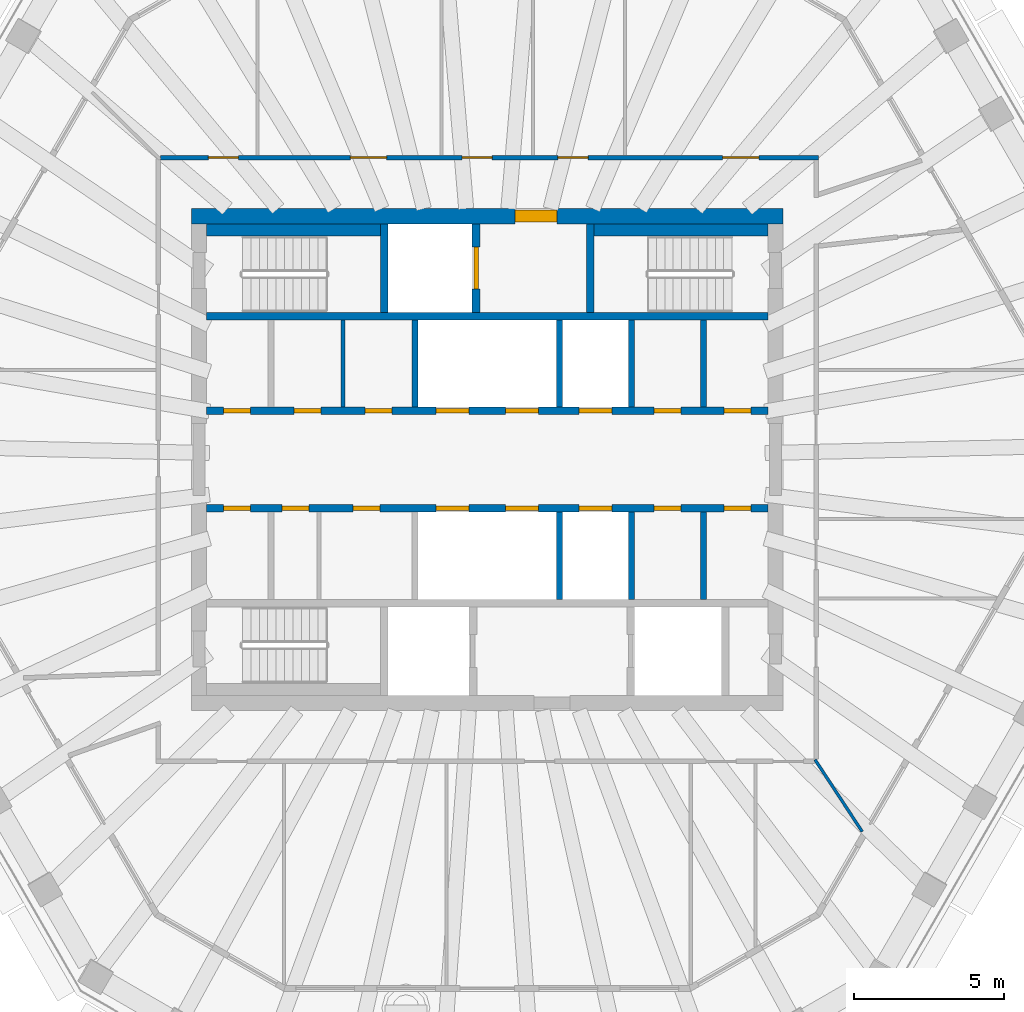
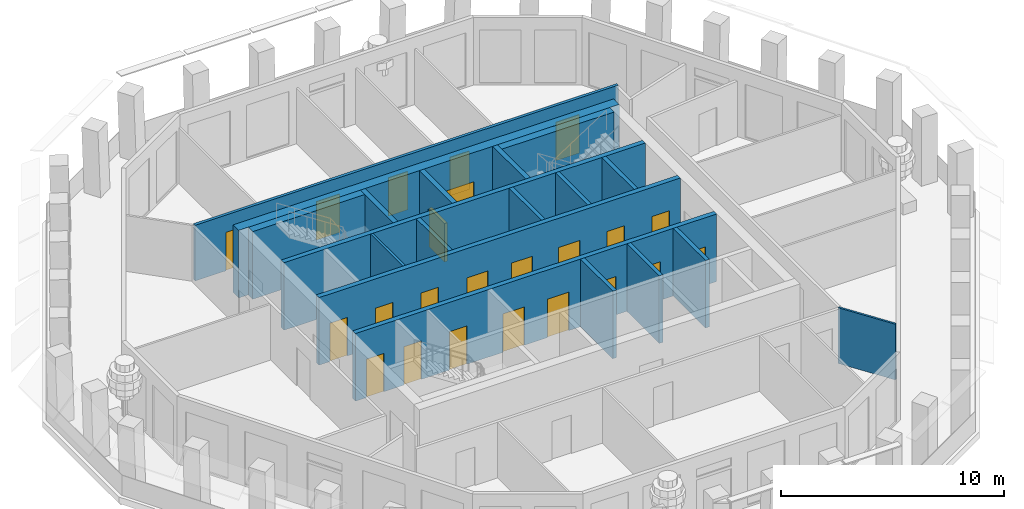
# One storey, part 5 of 11: 23 doors, 19 walls, 23 openings.
"""IFC4 building model written with IfcOpenShell, lengths in metres."""

import ifcopenshell
import ifcopenshell.guid

model = None  # the IFC model being written
_history = None  # IfcOwnerHistory: only IFC2X3 demands one
_inside = {}  # id of a spatial element -> (the spatial element, [elements in it])
_under = {}  # id of a project, library or spatial element -> (it, [spatial elements below it])
_declared = {}  # id of a project -> (the project, [libraries it declares])
_typed = {}  # id of a type object -> (the type object, [elements of that type])
_made_of = {}  # id of a material, layer set ... -> (it, [elements and type objects made of it])


def new_model(schema):
    """Start an empty IFC model of exactly this schema.

    Asked for "IFC4X3", IfcOpenShell would pick the latest addendum, in which some entities
    have other attributes; the version numbers below select the first issue.
    IFC2X3 requires an IfcOwnerHistory on every rooted entity: one is made here for all.
    """
    global model, _history
    if schema == "IFC4X3":
        model = ifcopenshell.file(schema_version=(4, 3, 0, 0))
    else:
        model = ifcopenshell.file(schema=schema)
    _inside.clear()
    _under.clear()
    _declared.clear()
    _typed.clear()
    _made_of.clear()
    _history = None
    if model.schema == "IFC2X3":
        org = make("IfcOrganization", Name="unknown")
        user = make(
            "IfcPersonAndOrganization",
            ThePerson=make("IfcPerson", FamilyName="unknown"),
            TheOrganization=org,
        )
        app = make(
            "IfcApplication",
            ApplicationDeveloper=org,
            Version="unknown",
            ApplicationFullName="unknown",
            ApplicationIdentifier="unknown",
        )
        _history = make(
            "IfcOwnerHistory",
            OwningUser=user,
            OwningApplication=app,
            ChangeAction="ADDED",
            CreationDate=0,
        )
    return model


def make(cls, **values):
    """One entity of the class cls with the attributes given. An attribute that is None is left unset."""
    return model.create_entity(
        cls, **{name: value for name, value in values.items() if value is not None}
    )


def rooted(cls, **values):
    """An entity with a GlobalId (a new one), such as an element, a storey or a relation."""
    return make(cls, GlobalId=ifcopenshell.guid.new(), OwnerHistory=_history, **values)


def si_unit(unit_type, name, prefix=None):
    """IfcSIUnit, for example si_unit("LENGTHUNIT", "METRE", prefix="MILLI")."""
    return make("IfcSIUnit", UnitType=unit_type, Prefix=prefix, Name=name)


def assignment(units):
    """IfcUnitAssignment: the units of a project."""
    return None if units is None else make("IfcUnitAssignment", Units=units)


def point(xyz):
    """IfcCartesianPoint."""
    return None if xyz is None else make("IfcCartesianPoint", Coordinates=xyz)


def direction(xyz):
    """IfcDirection."""
    return None if xyz is None else make("IfcDirection", DirectionRatios=xyz)


def frame(location, z_axis=None, x_axis=None):
    """IfcAxis2Placement3D, a coordinate frame: its origin and axes. An axis left out is left unset."""
    return make(
        "IfcAxis2Placement3D",
        Location=point(location),
        Axis=direction(z_axis),
        RefDirection=direction(x_axis),
    )


def frame_2d(location, x_axis=None):
    """IfcAxis2Placement2D, a coordinate frame in the plane: its origin and x axis."""
    return make(
        "IfcAxis2Placement2D", Location=point(location), RefDirection=direction(x_axis)
    )


def origin():
    """The frame at (0, 0, 0) with its axes left unset."""
    return frame((0.0, 0.0, 0.0))


def place(relative_to, where):
    """IfcLocalPlacement: puts the frame where relative to a parent placement (None: the world)."""
    return make(
        "IfcLocalPlacement", PlacementRelTo=relative_to, RelativePlacement=where
    )


def context(
    kind, dimensions, precision=None, world=None, true_north=None, identifier=None
):
    """IfcGeometricRepresentationContext, for example the 3D "Model" context."""
    return make(
        "IfcGeometricRepresentationContext",
        ContextIdentifier=identifier,
        ContextType=kind,
        CoordinateSpaceDimension=dimensions,
        Precision=precision,
        WorldCoordinateSystem=world,
        TrueNorth=true_north,
    )


def subcontext(parent, identifier, kind, view, scale=None):
    """IfcGeometricRepresentationSubContext, for example "Body" below "Model"."""
    return make(
        "IfcGeometricRepresentationSubContext",
        ContextIdentifier=identifier,
        ContextType=kind,
        ParentContext=parent,
        TargetScale=scale,
        TargetView=view,
    )


def project(units=None, contexts=None):
    """IfcProject with its units and contexts."""
    return rooted(
        "IfcProject",
        Name="project",
        RepresentationContexts=contexts,
        UnitsInContext=assignment(units),
    )


def spatial(cls, under=None, at=None, **own):
    """A site, building, storey or space (cls), placed at a placement, below another one or the project."""
    s = rooted(cls, ObjectPlacement=at, **own)
    if under is not None:
        _under.setdefault(under.id(), (under, []))[1].append(s)
    return s


def profile(cls, at=None, kind="AREA", **sizes):
    """A parametric profile (cls). Its sizes go by their IFC names, for example OverallWidth=200.0."""
    return make(cls, ProfileType=kind, Position=at, **sizes)


def rectangle(**sizes):
    """IfcRectangleProfileDef."""
    return profile("IfcRectangleProfileDef", **sizes)


def extrude(swept, where, along, depth):
    """IfcExtrudedAreaSolid: the profile swept, set in the frame where, extruded along a direction by depth."""
    return make(
        "IfcExtrudedAreaSolid",
        SweptArea=swept,
        Position=where,
        ExtrudedDirection=direction(along),
        Depth=depth,
    )


def shape(context_of_items, identifier, shape_type, items):
    """IfcShapeRepresentation: the items that make up one representation, for example the "Body"."""
    return make(
        "IfcShapeRepresentation",
        ContextOfItems=context_of_items,
        RepresentationIdentifier=identifier,
        RepresentationType=shape_type,
        Items=items,
    )


def material(Name=None, Category=None):
    """IfcMaterial."""
    return make("IfcMaterial", Name=Name, Category=Category)


def layer(
    of_material, thickness, ventilated=None, Name=None, Category=None, Priority=None
):
    """IfcMaterialLayer: one layer of a wall or slab, of a material (None: an air gap)."""
    return make(
        "IfcMaterialLayer",
        Material=of_material,
        LayerThickness=thickness,
        IsVentilated=ventilated,
        Name=Name,
        Category=Category,
        Priority=Priority,
    )


def layer_set(layers, Name=None):
    """IfcMaterialLayerSet."""
    return make("IfcMaterialLayerSet", MaterialLayers=layers, LayerSetName=Name)


def made_of(thing, what):
    """Note that an element or type object is made of a material, layer set ...; save() writes the relation."""
    if what is not None:
        _made_of.setdefault(what.id(), (what, []))[1].append(thing)
    return thing


def type_object(cls, material=None, **own):
    """A type object (cls), such as IfcWallType, which elements share."""
    return made_of(rooted(cls, **own), material)


def element(
    cls,
    number,
    at=None,
    inside=None,
    cuts=None,
    type_object=None,
    material=None,
    context=None,
    identifier="Body",
    shape_type=None,
    held_by="IfcProductDefinitionShape",
    body=None,
    shapes=None,
    **own,
):
    """One element of the class cls, such as IfcWall. Its Tag is "e" and its number.

    at: its placement. inside: the storey or other place that contains it. cuts: it is an
    opening in that element (IfcRelVoidsElement). A single representation is given by context,
    identifier, shape_type and body (its items); several are given by shapes. held_by: the class
    of the entity that holds the representations. save() writes the other relations.
    """
    e = rooted(cls, Tag="e%d" % number, ObjectPlacement=at, **own)
    if body is not None:
        shapes = [shape(context, identifier, shape_type, body)]
    if shapes is not None:
        e.Representation = make(held_by, Representations=shapes)
    if inside is not None:
        _inside.setdefault(inside.id(), (inside, []))[1].append(e)
    if cuts is not None:
        rooted(
            "IfcRelVoidsElement", RelatingBuildingElement=cuts, RelatedOpeningElement=e
        )
    if type_object is not None:
        _typed.setdefault(type_object.id(), (type_object, []))[1].append(e)
    return made_of(e, material)


def fill(opening, filler):
    """IfcRelFillsElement: the door or window that sits in an opening."""
    return rooted(
        "IfcRelFillsElement",
        RelatingOpeningElement=opening,
        RelatedBuildingElement=filler,
    )


def aggregate(whole, parts):
    """IfcRelAggregates: a whole, such as a stair, and the parts it consists of."""
    return rooted("IfcRelAggregates", RelatingObject=whole, RelatedObjects=parts)


def save(model, path):
    """Write the relations noted so far, then the file.

    IfcRelAggregates (storeys below a building ...), IfcRelContainedInSpatialStructure (elements
    in a storey), IfcRelDefinesByType, IfcRelAssociatesMaterial and IfcRelDeclares: one each for
    every whole, place, type object, material and project.
    """
    for whole, parts in _under.values():
        aggregate(whole, parts)
    for where, things in _inside.values():
        rooted(
            "IfcRelContainedInSpatialStructure",
            RelatedElements=things,
            RelatingStructure=where,
        )
    for kind, things in _typed.values():
        rooted("IfcRelDefinesByType", RelatedObjects=things, RelatingType=kind)
    for what, things in _made_of.values():
        rooted("IfcRelAssociatesMaterial", RelatedObjects=things, RelatingMaterial=what)
    for by, libraries in _declared.values():
        rooted("IfcRelDeclares", RelatingContext=by, RelatedDefinitions=libraries)
    model.write(path)


model = new_model("IFC4")

# Units and contexts
model_context = context("Model", 3, precision=1e-05, world=origin(), true_north=direction((0.0, 1.0)))
body_context = subcontext(model_context, "Body", "Model", "MODEL_VIEW")
ifc_project = project(units=[si_unit("LENGTHUNIT", "METRE"), si_unit("AREAUNIT", "SQUARE_METRE"), si_unit("VOLUMEUNIT", "CUBIC_METRE"), si_unit("PLANEANGLEUNIT", "RADIAN"), si_unit("MASSUNIT", "GRAM", prefix="KILO")], contexts=[model_context])

# Site, building, storey
site_placement = place(None, origin())
site = spatial("IfcSite", under=ifc_project, at=site_placement, CompositionType="ELEMENT")
building_placement = place(site_placement, origin())
building = spatial("IfcBuilding", under=site, at=building_placement, Name="Frailejon Research Tower", CompositionType="ELEMENT")
storey_placement = place(building_placement, frame((0.0, 0.0, 324.60009765625)))
storey = spatial("IfcBuildingStorey", under=building, at=storey_placement, Name="L72", CompositionType="ELEMENT", Elevation=324.60009765625)

# Wall
ifc_material_1 = material(Name="Plasterboard on steel studs", Category="steel")
ifc_layer_1 = layer(ifc_material_1, 0.125)
ifc_layer_set_1 = layer_set([ifc_layer_1], Name="Core partition 125")
wall_type_1 = type_object("IfcWallType", Name="Core partition 125", PredefinedType="PARTITIONING", material=ifc_layer_set_1)
wall_1_placement = place(storey_placement, frame((-4.800048828125, 1.75, 0.0), z_axis=(0.0, 0.0, 1.0), x_axis=(0.0, 1.0, 0.0)))
element("IfcWall", 1, at=wall_1_placement, inside=storey, type_object=wall_type_1, Name="Core partition", PredefinedType="PARTITIONING", context=body_context, shape_type="SweptSolid", body=[
    extrude(rectangle(XDim=2.89990234375, YDim=0.125, at=frame_2d((1.449951171875, 0.0))), origin(), (0.0, 0.0, 1.0), 3.699951171875),
])

# Wall, opening, door
ifc_material_2 = material(Name="Concrete C50/60", Category="concrete")
ifc_layer_2 = layer(ifc_material_2, 0.5)
ifc_layer_set_2 = layer_set([ifc_layer_2], Name="Core shear wall 500 C50/60")
wall_type_2 = type_object("IfcWallType", Name="Core shear wall 500 C50/60", PredefinedType="SHEAR", material=ifc_layer_set_2)
wall_2_placement = place(storey_placement, frame((-9.85009765625, 8.10009765625, 0.0), z_axis=(0.0, 0.0, 1.0), x_axis=(1.0, 0.0, 0.0)))
wall_2 = element("IfcWall", 2, at=wall_2_placement, inside=storey, type_object=wall_type_2, Name="Core shear wall", PredefinedType="SHEAR", context=body_context, shape_type="SweptSolid", body=[
    extrude(rectangle(XDim=19.7001953125, YDim=0.5, at=frame_2d((9.85009765625, 0.0))), origin(), (0.0, 0.0, 1.0), 3.699951171875),
])
opening_1_placement = place(wall_2_placement, frame((10.77490234375, 0.0, 0.0)))
opening_1 = element("IfcOpeningElement", 3, at=opening_1_placement, cuts=wall_2, Name="Opening D9", PredefinedType="OPENING", context=body_context, shape_type="SweptSolid", body=[
    extrude(rectangle(XDim=1.39990234375, YDim=2.10009765625, at=frame_2d((0.699951171875, 1.050048828125))), frame((0.0, 0.260009765625, 0.0), z_axis=(0.0, -1.0, 0.0), x_axis=(1.0, 0.0, 0.0)), (0.0, 0.0, 1.0), 0.52001953125),
])
ifc_material_3 = material(Name="Steel", Category="steel")
door_type_1 = type_object("IfcDoorType", Name="Goods lobby door", OperationType="DOUBLE_DOOR_SINGLE_SWING", PredefinedType="DOOR", material=ifc_material_3)
door_1_placement = place(opening_1_placement, origin())
door_1 = element("IfcDoor", 4, at=door_1_placement, inside=storey, type_object=door_type_1, Name="Goods lobby door", OperationType="DOUBLE_DOOR_SINGLE_SWING", OverallHeight=2.10009765625, OverallWidth=1.39990234375, PredefinedType="DOOR", context=body_context, shape_type="SweptSolid", body=[
    extrude(rectangle(XDim=1.39990234375, YDim=2.10009765625, at=frame_2d((0.699951171875, 1.050048828125))), frame((0.0, 0.199951171875, 0.0), z_axis=(0.0, -1.0, 0.0), x_axis=(1.0, 0.0, 0.0)), (0.0, 0.0, 1.0), 0.39990234375),
])
fill(opening_1, door_1)

# Wall, openings, doors
ifc_material_4 = material(Name="Gypsum board and masonry partition", Category="masonry")
ifc_layer_3 = layer(ifc_material_4, 0.14990234375)
ifc_layer_set_3 = layer_set([ifc_layer_3], Name="Corridor wall EI 60, gypsum on steel studs 150")
wall_type_3 = type_object("IfcWallType", Name="Corridor wall EI 60, gypsum on steel studs 150", PredefinedType="PARTITIONING", material=ifc_layer_set_3)
wall_3_placement = place(storey_placement, frame((-10.875, 10.050048828125, 0.0), z_axis=(0.0, 0.0, 1.0), x_axis=(1.0, 0.0, 0.0)))
wall_3 = element("IfcWall", 5, at=wall_3_placement, inside=storey, type_object=wall_type_3, Name="T:IW:L72:005", PredefinedType="PARTITIONING", context=body_context, shape_type="SweptSolid", body=[
    extrude(rectangle(XDim=21.89990234375, YDim=0.14990234375, at=frame_2d((10.949951171875, 0.0))), origin(), (0.0, 0.0, 1.0), 3.0498046875),
])
opening_2_placement = place(wall_3_placement, frame((18.712890625, 0.0, 0.0)))
opening_2 = element("IfcOpeningElement", 6, at=opening_2_placement, cuts=wall_3, Name="Opening D2350", PredefinedType="OPENING", context=body_context, shape_type="SweptSolid", body=[
    extrude(rectangle(XDim=1.199951171875, YDim=2.10009765625, at=frame_2d((0.60009765625, 1.050048828125))), frame((0.0, 0.0849609375, 0.0), z_axis=(0.0, -1.0, 0.0), x_axis=(1.0, 0.0, 0.0)), (0.0, 0.0, 1.0), 0.169921875),
])
opening_3_placement = place(wall_3_placement, frame((13.22900390625, 0.0, 0.0)))
opening_3 = element("IfcOpeningElement", 7, at=opening_3_placement, cuts=wall_3, Name="Opening D2351", PredefinedType="OPENING", context=body_context, shape_type="SweptSolid", body=[
    extrude(rectangle(XDim=1.0, YDim=2.10009765625, at=frame_2d((0.5, 1.050048828125))), frame((0.0, 0.0849609375, 0.0), z_axis=(0.0, -1.0, 0.0), x_axis=(1.0, 0.0, 0.0)), (0.0, 0.0, 1.0), 0.169921875),
])
opening_4_placement = place(wall_3_placement, frame((10.03564453125, 0.0, 0.0)))
opening_4 = element("IfcOpeningElement", 8, at=opening_4_placement, cuts=wall_3, Name="Opening D2352", PredefinedType="OPENING", context=body_context, shape_type="SweptSolid", body=[
    extrude(rectangle(XDim=1.0, YDim=2.10009765625, at=frame_2d((0.5, 1.050048828125))), frame((0.0, 0.0849609375, 0.0), z_axis=(0.0, -1.0, 0.0), x_axis=(1.0, 0.0, 0.0)), (0.0, 0.0, 1.0), 0.169921875),
])
opening_5_placement = place(wall_3_placement, frame((6.32080078125, 0.0, 0.0)))
opening_5 = element("IfcOpeningElement", 9, at=opening_5_placement, cuts=wall_3, Name="Opening D2353", PredefinedType="OPENING", context=body_context, shape_type="SweptSolid", body=[
    extrude(rectangle(XDim=1.199951171875, YDim=2.10009765625, at=frame_2d((0.60009765625, 1.050048828125))), frame((0.0, 0.0849609375, 0.0), z_axis=(0.0, -1.0, 0.0), x_axis=(1.0, 0.0, 0.0)), (0.0, 0.0, 1.0), 0.169921875),
])
opening_6_placement = place(wall_3_placement, frame((1.588134765625, 0.0, 0.0)))
opening_6 = element("IfcOpeningElement", 10, at=opening_6_placement, cuts=wall_3, Name="Opening D2354", PredefinedType="OPENING", context=body_context, shape_type="SweptSolid", body=[
    extrude(rectangle(XDim=1.0, YDim=2.10009765625, at=frame_2d((0.5, 1.050048828125))), frame((0.0, 0.0849609375, 0.0), z_axis=(0.0, -1.0, 0.0), x_axis=(1.0, 0.0, 0.0)), (0.0, 0.0, 1.0), 0.169921875),
])
ifc_material_5 = material(Name="Timber door leaf", Category="wood")
door_type_2 = type_object("IfcDoorType", Name="Door single leaf, timber, steel frame 1000", OperationType="NOTDEFINED", PredefinedType="DOOR", material=ifc_material_5)
door_2_placement = place(opening_3_placement, origin())
door_2 = element("IfcDoor", 11, at=door_2_placement, inside=storey, type_object=door_type_2, Name="D2351", OperationType="SINGLE_SWING_RIGHT", OverallHeight=2.10009765625, OverallWidth=1.0, PredefinedType="DOOR", context=body_context, shape_type="SweptSolid", body=[
    extrude(rectangle(XDim=1.0, YDim=2.10009765625, at=frame_2d((0.5, 1.050048828125))), frame((0.0, 0.02490234375, 0.0), z_axis=(0.0, -1.0, 0.0), x_axis=(1.0, 0.0, 0.0)), (0.0, 0.0, 1.0), 0.050048828125),
])
fill(opening_3, door_2)
door_3_placement = place(opening_4_placement, origin())
door_3 = element("IfcDoor", 12, at=door_3_placement, inside=storey, type_object=door_type_2, Name="D2352", OperationType="SINGLE_SWING_LEFT", OverallHeight=2.10009765625, OverallWidth=1.0, PredefinedType="DOOR", context=body_context, shape_type="SweptSolid", body=[
    extrude(rectangle(XDim=1.0, YDim=2.10009765625, at=frame_2d((0.5, 1.050048828125))), frame((0.0, 0.02490234375, 0.0), z_axis=(0.0, -1.0, 0.0), x_axis=(1.0, 0.0, 0.0)), (0.0, 0.0, 1.0), 0.050048828125),
])
fill(opening_4, door_3)
door_4_placement = place(opening_6_placement, origin())
door_4 = element("IfcDoor", 13, at=door_4_placement, inside=storey, type_object=door_type_2, Name="D2354", OperationType="SINGLE_SWING_RIGHT", OverallHeight=2.10009765625, OverallWidth=1.0, PredefinedType="DOOR", context=body_context, shape_type="SweptSolid", body=[
    extrude(rectangle(XDim=1.0, YDim=2.10009765625, at=frame_2d((0.5, 1.050048828125))), frame((0.0, 0.02490234375, 0.0), z_axis=(0.0, -1.0, 0.0), x_axis=(1.0, 0.0, 0.0)), (0.0, 0.0, 1.0), 0.050048828125),
])
fill(opening_6, door_4)
ifc_material_6 = material(Name="Timber door leaf", Category="wood")
door_type_3 = type_object("IfcDoorType", Name="Door single leaf, timber, steel frame 1200", OperationType="NOTDEFINED", PredefinedType="DOOR", material=ifc_material_6)
door_5_placement = place(opening_2_placement, origin())
door_5 = element("IfcDoor", 14, at=door_5_placement, inside=storey, type_object=door_type_3, Name="D2350", OperationType="DOUBLE_DOOR_SINGLE_SWING", OverallHeight=2.10009765625, OverallWidth=1.199951171875, PredefinedType="DOOR", context=body_context, shape_type="SweptSolid", body=[
    extrude(rectangle(XDim=1.199951171875, YDim=2.10009765625, at=frame_2d((0.60009765625, 1.050048828125))), frame((0.0, 0.02490234375, 0.0), z_axis=(0.0, -1.0, 0.0), x_axis=(1.0, 0.0, 0.0)), (0.0, 0.0, 1.0), 0.050048828125),
])
fill(opening_2, door_5)
door_6_placement = place(opening_5_placement, origin())
door_6 = element("IfcDoor", 15, at=door_6_placement, inside=storey, type_object=door_type_3, Name="D2353", OperationType="DOUBLE_DOOR_SINGLE_SWING", OverallHeight=2.10009765625, OverallWidth=1.199951171875, PredefinedType="DOOR", context=body_context, shape_type="SweptSolid", body=[
    extrude(rectangle(XDim=1.199951171875, YDim=2.10009765625, at=frame_2d((0.60009765625, 1.050048828125))), frame((0.0, 0.02490234375, 0.0), z_axis=(0.0, -1.0, 0.0), x_axis=(1.0, 0.0, 0.0)), (0.0, 0.0, 1.0), 0.050048828125),
])
fill(opening_5, door_6)

# Walls
ifc_material_7 = material(Name="Gypsum board and masonry partition", Category="masonry")
ifc_layer_4 = layer(ifc_material_7, 0.10009765625)
ifc_layer_set_4 = layer_set([ifc_layer_4], Name="Partition, gypsum on steel studs 100")
wall_type_4 = type_object("IfcWallType", Name="Partition, gypsum on steel studs 100", PredefinedType="PARTITIONING", material=ifc_layer_set_4)
wall_4_placement = place(storey_placement, frame((10.908935546875, -9.9873046875, 0.0), z_axis=(0.0, 0.0, 1.0), x_axis=(0.547978987947, -0.836492097254, 0.0)))
element("IfcWall", 16, at=wall_4_placement, inside=storey, type_object=wall_type_4, Name="T:IW:L72:023", PredefinedType="PARTITIONING", context=body_context, shape_type="SweptSolid", body=[
    extrude(rectangle(XDim=2.8662109375, YDim=0.10009765625, at=frame_2d((1.43310546875, 0.0))), origin(), (0.0, 0.0, 1.0), 3.0498046875),
])
ifc_material_8 = material(Name="Concrete C50/60", Category="concrete")
ifc_layer_5 = layer(ifc_material_8, 0.199951171875)
ifc_layer_set_5 = layer_set([ifc_layer_5], Name="Shaft wall 200 C50/60")
wall_type_5 = type_object("IfcWallType", Name="Shaft wall 200 C50/60", PredefinedType="SOLIDWALL", material=ifc_layer_set_5)
for number, where, z_axis, x_axis, name in (
    (17, (-2.39990234375, 1.75, 0.0), (0.0, 0.0, 1.0), (0.0, 1.0, 0.0), "Shaft wall"),
    (18, (2.39990234375, 1.75, 0.0), (0.0, 0.0, 1.0), (0.0, 1.0, 0.0), "Shaft wall"),
    (19, (4.800048828125, 1.75, 0.0), (0.0, 0.0, 1.0), (0.0, 1.0, 0.0), "Shaft wall"),
    (20, (7.199951171875, 1.75, 0.0), (0.0, 0.0, 1.0), (0.0, 1.0, 0.0), "Shaft wall"),
    (21, (2.39990234375, -4.64990234375, 0.0), (0.0, 0.0, 1.0), (0.0, 1.0, 0.0), "Shaft wall"),
    (22, (4.800048828125, -4.64990234375, 0.0), (0.0, 0.0, 1.0), (0.0, 1.0, 0.0), "Shaft wall"),
    (23, (7.199951171875, -4.64990234375, 0.0), (0.0, 0.0, 1.0), (0.0, 1.0, 0.0), "Shaft wall"),
):
    element("IfcWall", number, at=place(storey_placement, frame(where, z_axis=z_axis, x_axis=x_axis)), inside=storey, type_object=wall_type_5, Name=name, PredefinedType="SOLIDWALL", context=body_context, shape_type="SweptSolid", body=[
        extrude(rectangle(XDim=2.89990234375, YDim=0.199951171875, at=frame_2d((1.449951171875, 0.0))), origin(), (0.0, 0.0, 1.0), 3.699951171875),
    ])

# Wall, openings, doors
ifc_material_9 = material(Name="Concrete C50/60", Category="concrete")
ifc_layer_6 = layer(ifc_material_9, 0.25)
ifc_layer_set_6 = layer_set([ifc_layer_6], Name="Shaft wall 250 C50/60")
wall_type_6 = type_object("IfcWallType", Name="Shaft wall 250 C50/60", PredefinedType="SOLIDWALL", material=ifc_layer_set_6)
wall_5_placement = place(storey_placement, frame((-9.35009765625, 1.625, 0.0), z_axis=(0.0, 0.0, 1.0), x_axis=(1.0, 0.0, 0.0)))
wall_5 = element("IfcWall", 24, at=wall_5_placement, inside=storey, type_object=wall_type_6, Name="Shaft wall", PredefinedType="SOLIDWALL", context=body_context, shape_type="SweptSolid", body=[
    extrude(rectangle(XDim=18.7001953125, YDim=0.25, at=frame_2d((9.35009765625, 0.0))), origin(), (0.0, 0.0, 1.0), 3.699951171875),
])
opening_7_placement = place(wall_5_placement, frame((7.64990234375, 0.0, 0.0)))
opening_7 = element("IfcOpeningElement", 25, at=opening_7_placement, cuts=wall_5, Name="Opening LD", PredefinedType="OPENING", context=body_context, shape_type="SweptSolid", body=[
    extrude(rectangle(XDim=1.10009765625, YDim=2.10009765625, at=frame_2d((0.550048828125, 1.050048828125))), frame((0.0, 0.135009765625, 0.0), z_axis=(0.0, -1.0, 0.0), x_axis=(1.0, 0.0, 0.0)), (0.0, 0.0, 1.0), 0.27001953125),
])
opening_8_placement = place(wall_5_placement, frame((9.949951171875, 0.0, 0.0)))
opening_8 = element("IfcOpeningElement", 26, at=opening_8_placement, cuts=wall_5, Name="Opening LD", PredefinedType="OPENING", context=body_context, shape_type="SweptSolid", body=[
    extrude(rectangle(XDim=1.10009765625, YDim=2.10009765625, at=frame_2d((0.550048828125, 1.050048828125))), frame((0.0, 0.135009765625, 0.0), z_axis=(0.0, -1.0, 0.0), x_axis=(1.0, 0.0, 0.0)), (0.0, 0.0, 1.0), 0.27001953125),
])
opening_9_placement = place(wall_5_placement, frame((12.39990234375, 0.0, 0.0)))
opening_9 = element("IfcOpeningElement", 27, at=opening_9_placement, cuts=wall_5, Name="Opening LD", PredefinedType="OPENING", context=body_context, shape_type="SweptSolid", body=[
    extrude(rectangle(XDim=1.10009765625, YDim=2.10009765625, at=frame_2d((0.550048828125, 1.050048828125))), frame((0.0, 0.135009765625, 0.0), z_axis=(0.0, -1.0, 0.0), x_axis=(1.0, 0.0, 0.0)), (0.0, 0.0, 1.0), 0.27001953125),
])
opening_10_placement = place(wall_5_placement, frame((0.574951171875, 0.0, 0.0)))
opening_10 = element("IfcOpeningElement", 28, at=opening_10_placement, cuts=wall_5, Name="Opening D8", PredefinedType="OPENING", context=body_context, shape_type="SweptSolid", body=[
    extrude(rectangle(XDim=0.89990234375, YDim=2.10009765625, at=frame_2d((0.449951171875, 1.050048828125))), frame((0.0, 0.135009765625, 0.0), z_axis=(0.0, -1.0, 0.0), x_axis=(1.0, 0.0, 0.0)), (0.0, 0.0, 1.0), 0.27001953125),
])
opening_11_placement = place(wall_5_placement, frame((2.918701171875, 0.0, 0.0)))
opening_11 = element("IfcOpeningElement", 29, at=opening_11_placement, cuts=wall_5, Name="Opening D8", PredefinedType="OPENING", context=body_context, shape_type="SweptSolid", body=[
    extrude(rectangle(XDim=0.89990234375, YDim=2.10009765625, at=frame_2d((0.449951171875, 1.050048828125))), frame((0.0, 0.135009765625, 0.0), z_axis=(0.0, -1.0, 0.0), x_axis=(1.0, 0.0, 0.0)), (0.0, 0.0, 1.0), 0.27001953125),
])
opening_12_placement = place(wall_5_placement, frame((5.28125, 0.0, 0.0)))
opening_12 = element("IfcOpeningElement", 30, at=opening_12_placement, cuts=wall_5, Name="Opening D8", PredefinedType="OPENING", context=body_context, shape_type="SweptSolid", body=[
    extrude(rectangle(XDim=0.89990234375, YDim=2.10009765625, at=frame_2d((0.449951171875, 1.050048828125))), frame((0.0, 0.135009765625, 0.0), z_axis=(0.0, -1.0, 0.0), x_axis=(1.0, 0.0, 0.0)), (0.0, 0.0, 1.0), 0.27001953125),
])
opening_13_placement = place(wall_5_placement, frame((14.89990234375, 0.0, 0.0)))
opening_13 = element("IfcOpeningElement", 31, at=opening_13_placement, cuts=wall_5, Name="Opening D8", PredefinedType="OPENING", context=body_context, shape_type="SweptSolid", body=[
    extrude(rectangle(XDim=0.89990234375, YDim=2.10009765625, at=frame_2d((0.449951171875, 1.050048828125))), frame((0.0, 0.135009765625, 0.0), z_axis=(0.0, -1.0, 0.0), x_axis=(1.0, 0.0, 0.0)), (0.0, 0.0, 1.0), 0.27001953125),
])
opening_14_placement = place(wall_5_placement, frame((17.22509765625, 0.0, 0.0)))
opening_14 = element("IfcOpeningElement", 32, at=opening_14_placement, cuts=wall_5, Name="Opening D8", PredefinedType="OPENING", context=body_context, shape_type="SweptSolid", body=[
    extrude(rectangle(XDim=0.89990234375, YDim=2.10009765625, at=frame_2d((0.449951171875, 1.050048828125))), frame((0.0, 0.135009765625, 0.0), z_axis=(0.0, -1.0, 0.0), x_axis=(1.0, 0.0, 0.0)), (0.0, 0.0, 1.0), 0.27001953125),
])
ifc_material_10 = material(Name="Steel", Category="steel")
door_type_4 = type_object("IfcDoorType", Name="Core room door", OperationType="SINGLE_SWING_LEFT", PredefinedType="DOOR", material=ifc_material_10)
door_7_placement = place(opening_10_placement, origin())
door_7 = element("IfcDoor", 33, at=door_7_placement, inside=storey, type_object=door_type_4, Name="Room door", OperationType="SINGLE_SWING_RIGHT", OverallHeight=2.10009765625, OverallWidth=0.89990234375, PredefinedType="DOOR", context=body_context, shape_type="SweptSolid", body=[
    extrude(rectangle(XDim=0.89990234375, YDim=2.10009765625, at=frame_2d((0.449951171875, 1.050048828125))), frame((0.0, 0.074951171875, 0.0), z_axis=(0.0, -1.0, 0.0), x_axis=(1.0, 0.0, 0.0)), (0.0, 0.0, 1.0), 0.14990234375),
])
fill(opening_10, door_7)
door_8_placement = place(opening_11_placement, origin())
door_8 = element("IfcDoor", 34, at=door_8_placement, inside=storey, type_object=door_type_4, Name="Room door", OperationType="SINGLE_SWING_LEFT", OverallHeight=2.10009765625, OverallWidth=0.89990234375, PredefinedType="DOOR", context=body_context, shape_type="SweptSolid", body=[
    extrude(rectangle(XDim=0.89990234375, YDim=2.10009765625, at=frame_2d((0.449951171875, 1.050048828125))), frame((0.0, 0.074951171875, 0.0), z_axis=(0.0, -1.0, 0.0), x_axis=(1.0, 0.0, 0.0)), (0.0, 0.0, 1.0), 0.14990234375),
])
fill(opening_11, door_8)
door_9_placement = place(opening_12_placement, origin())
door_9 = element("IfcDoor", 35, at=door_9_placement, inside=storey, type_object=door_type_4, Name="Room door", OperationType="SINGLE_SWING_RIGHT", OverallHeight=2.10009765625, OverallWidth=0.89990234375, PredefinedType="DOOR", context=body_context, shape_type="SweptSolid", body=[
    extrude(rectangle(XDim=0.89990234375, YDim=2.10009765625, at=frame_2d((0.449951171875, 1.050048828125))), frame((0.0, 0.074951171875, 0.0), z_axis=(0.0, -1.0, 0.0), x_axis=(1.0, 0.0, 0.0)), (0.0, 0.0, 1.0), 0.14990234375),
])
fill(opening_12, door_9)
door_10_placement = place(opening_13_placement, origin())
door_10 = element("IfcDoor", 36, at=door_10_placement, inside=storey, type_object=door_type_4, Name="Room door", OperationType="SINGLE_SWING_LEFT", OverallHeight=2.10009765625, OverallWidth=0.89990234375, PredefinedType="DOOR", context=body_context, shape_type="SweptSolid", body=[
    extrude(rectangle(XDim=0.89990234375, YDim=2.10009765625, at=frame_2d((0.449951171875, 1.050048828125))), frame((0.0, 0.074951171875, 0.0), z_axis=(0.0, -1.0, 0.0), x_axis=(1.0, 0.0, 0.0)), (0.0, 0.0, 1.0), 0.14990234375),
])
fill(opening_13, door_10)
door_11_placement = place(opening_14_placement, origin())
door_11 = element("IfcDoor", 37, at=door_11_placement, inside=storey, type_object=door_type_4, Name="Room door", OperationType="SINGLE_SWING_RIGHT", OverallHeight=2.10009765625, OverallWidth=0.89990234375, PredefinedType="DOOR", context=body_context, shape_type="SweptSolid", body=[
    extrude(rectangle(XDim=0.89990234375, YDim=2.10009765625, at=frame_2d((0.449951171875, 1.050048828125))), frame((0.0, 0.074951171875, 0.0), z_axis=(0.0, -1.0, 0.0), x_axis=(1.0, 0.0, 0.0)), (0.0, 0.0, 1.0), 0.14990234375),
])
fill(opening_14, door_11)
ifc_material_11 = material(Name="Steel", Category="steel")
door_type_5 = type_object("IfcDoorType", Name="Lift landing door", OperationType="DOUBLE_DOOR_SLIDING", PredefinedType="DOOR", material=ifc_material_11)
door_12_placement = place(opening_7_placement, origin())
door_12 = element("IfcDoor", 38, at=door_12_placement, inside=storey, type_object=door_type_5, Name="Lift landing door", OperationType="DOUBLE_DOOR_SLIDING", OverallHeight=2.10009765625, OverallWidth=1.10009765625, PredefinedType="DOOR", context=body_context, shape_type="SweptSolid", body=[
    extrude(rectangle(XDim=1.10009765625, YDim=2.10009765625, at=frame_2d((0.550048828125, 1.050048828125))), frame((0.0, 0.074951171875, 0.0), z_axis=(0.0, -1.0, 0.0), x_axis=(1.0, 0.0, 0.0)), (0.0, 0.0, 1.0), 0.14990234375),
])
fill(opening_7, door_12)
door_13_placement = place(opening_8_placement, origin())
door_13 = element("IfcDoor", 39, at=door_13_placement, inside=storey, type_object=door_type_5, Name="Lift landing door", OperationType="DOUBLE_DOOR_SLIDING", OverallHeight=2.10009765625, OverallWidth=1.10009765625, PredefinedType="DOOR", context=body_context, shape_type="SweptSolid", body=[
    extrude(rectangle(XDim=1.10009765625, YDim=2.10009765625, at=frame_2d((0.550048828125, 1.050048828125))), frame((0.0, 0.074951171875, 0.0), z_axis=(0.0, -1.0, 0.0), x_axis=(1.0, 0.0, 0.0)), (0.0, 0.0, 1.0), 0.14990234375),
])
fill(opening_8, door_13)
door_14_placement = place(opening_9_placement, origin())
door_14 = element("IfcDoor", 40, at=door_14_placement, inside=storey, type_object=door_type_5, Name="Lift landing door", OperationType="DOUBLE_DOOR_SLIDING", OverallHeight=2.10009765625, OverallWidth=1.10009765625, PredefinedType="DOOR", context=body_context, shape_type="SweptSolid", body=[
    extrude(rectangle(XDim=1.10009765625, YDim=2.10009765625, at=frame_2d((0.550048828125, 1.050048828125))), frame((0.0, 0.074951171875, 0.0), z_axis=(0.0, -1.0, 0.0), x_axis=(1.0, 0.0, 0.0)), (0.0, 0.0, 1.0), 0.14990234375),
])
fill(opening_9, door_14)

# Wall
wall_6_placement = place(storey_placement, frame((-9.35009765625, 4.77490234375, 0.0), z_axis=(0.0, 0.0, 1.0), x_axis=(1.0, 0.0, 0.0)))
element("IfcWall", 41, at=wall_6_placement, inside=storey, type_object=wall_type_6, Name="Shaft wall", PredefinedType="SOLIDWALL", context=body_context, shape_type="SweptSolid", body=[
    extrude(rectangle(XDim=18.7001953125, YDim=0.25, at=frame_2d((9.35009765625, 0.0))), origin(), (0.0, 0.0, 1.0), 3.699951171875),
])

# Wall, openings, doors
wall_7_placement = place(storey_placement, frame((-9.35009765625, -1.625, 0.0), z_axis=(0.0, 0.0, 1.0), x_axis=(1.0, 0.0, 0.0)))
wall_7 = element("IfcWall", 42, at=wall_7_placement, inside=storey, type_object=wall_type_6, Name="Shaft wall", PredefinedType="SOLIDWALL", context=body_context, shape_type="SweptSolid", body=[
    extrude(rectangle(XDim=18.7001953125, YDim=0.25, at=frame_2d((9.35009765625, 0.0))), origin(), (0.0, 0.0, 1.0), 3.699951171875),
])
opening_15_placement = place(wall_7_placement, frame((7.64990234375, 0.0, 0.0)))
opening_15 = element("IfcOpeningElement", 43, at=opening_15_placement, cuts=wall_7, Name="Opening LD", PredefinedType="OPENING", context=body_context, shape_type="SweptSolid", body=[
    extrude(rectangle(XDim=1.10009765625, YDim=2.10009765625, at=frame_2d((0.550048828125, 1.050048828125))), frame((0.0, 0.135009765625, 0.0), z_axis=(0.0, -1.0, 0.0), x_axis=(1.0, 0.0, 0.0)), (0.0, 0.0, 1.0), 0.27001953125),
])
opening_16_placement = place(wall_7_placement, frame((9.949951171875, 0.0, 0.0)))
opening_16 = element("IfcOpeningElement", 44, at=opening_16_placement, cuts=wall_7, Name="Opening LD", PredefinedType="OPENING", context=body_context, shape_type="SweptSolid", body=[
    extrude(rectangle(XDim=1.10009765625, YDim=2.10009765625, at=frame_2d((0.550048828125, 1.050048828125))), frame((0.0, 0.135009765625, 0.0), z_axis=(0.0, -1.0, 0.0), x_axis=(1.0, 0.0, 0.0)), (0.0, 0.0, 1.0), 0.27001953125),
])
opening_17_placement = place(wall_7_placement, frame((12.39990234375, 0.0, 0.0)))
opening_17 = element("IfcOpeningElement", 45, at=opening_17_placement, cuts=wall_7, Name="Opening LD", PredefinedType="OPENING", context=body_context, shape_type="SweptSolid", body=[
    extrude(rectangle(XDim=1.10009765625, YDim=2.10009765625, at=frame_2d((0.550048828125, 1.050048828125))), frame((0.0, 0.135009765625, 0.0), z_axis=(0.0, -1.0, 0.0), x_axis=(1.0, 0.0, 0.0)), (0.0, 0.0, 1.0), 0.27001953125),
])
opening_18_placement = place(wall_7_placement, frame((0.574951171875, 0.0, 0.0)))
opening_18 = element("IfcOpeningElement", 46, at=opening_18_placement, cuts=wall_7, Name="Opening D8", PredefinedType="OPENING", context=body_context, shape_type="SweptSolid", body=[
    extrude(rectangle(XDim=0.89990234375, YDim=2.10009765625, at=frame_2d((0.449951171875, 1.050048828125))), frame((0.0, 0.135009765625, 0.0), z_axis=(0.0, -1.0, 0.0), x_axis=(1.0, 0.0, 0.0)), (0.0, 0.0, 1.0), 0.27001953125),
])
opening_19_placement = place(wall_7_placement, frame((2.518798828125, 0.0, 0.0)))
opening_19 = element("IfcOpeningElement", 47, at=opening_19_placement, cuts=wall_7, Name="Opening D8", PredefinedType="OPENING", context=body_context, shape_type="SweptSolid", body=[
    extrude(rectangle(XDim=0.89990234375, YDim=2.10009765625, at=frame_2d((0.449951171875, 1.050048828125))), frame((0.0, 0.135009765625, 0.0), z_axis=(0.0, -1.0, 0.0), x_axis=(1.0, 0.0, 0.0)), (0.0, 0.0, 1.0), 0.27001953125),
])
opening_20_placement = place(wall_7_placement, frame((4.881103515625, 0.0, 0.0)))
opening_20 = element("IfcOpeningElement", 48, at=opening_20_placement, cuts=wall_7, Name="Opening D8", PredefinedType="OPENING", context=body_context, shape_type="SweptSolid", body=[
    extrude(rectangle(XDim=0.89990234375, YDim=2.10009765625, at=frame_2d((0.449951171875, 1.050048828125))), frame((0.0, 0.135009765625, 0.0), z_axis=(0.0, -1.0, 0.0), x_axis=(1.0, 0.0, 0.0)), (0.0, 0.0, 1.0), 0.27001953125),
])
opening_21_placement = place(wall_7_placement, frame((14.89990234375, 0.0, 0.0)))
opening_21 = element("IfcOpeningElement", 49, at=opening_21_placement, cuts=wall_7, Name="Opening D8", PredefinedType="OPENING", context=body_context, shape_type="SweptSolid", body=[
    extrude(rectangle(XDim=0.89990234375, YDim=2.10009765625, at=frame_2d((0.449951171875, 1.050048828125))), frame((0.0, 0.135009765625, 0.0), z_axis=(0.0, -1.0, 0.0), x_axis=(1.0, 0.0, 0.0)), (0.0, 0.0, 1.0), 0.27001953125),
])
opening_22_placement = place(wall_7_placement, frame((17.22509765625, 0.0, 0.0)))
opening_22 = element("IfcOpeningElement", 50, at=opening_22_placement, cuts=wall_7, Name="Opening D8", PredefinedType="OPENING", context=body_context, shape_type="SweptSolid", body=[
    extrude(rectangle(XDim=0.89990234375, YDim=2.10009765625, at=frame_2d((0.449951171875, 1.050048828125))), frame((0.0, 0.135009765625, 0.0), z_axis=(0.0, -1.0, 0.0), x_axis=(1.0, 0.0, 0.0)), (0.0, 0.0, 1.0), 0.27001953125),
])
door_15_placement = place(opening_18_placement, origin())
door_15 = element("IfcDoor", 51, at=door_15_placement, inside=storey, type_object=door_type_4, Name="Room door", OperationType="SINGLE_SWING_LEFT", OverallHeight=2.10009765625, OverallWidth=0.89990234375, PredefinedType="DOOR", context=body_context, shape_type="SweptSolid", body=[
    extrude(rectangle(XDim=0.89990234375, YDim=2.10009765625, at=frame_2d((0.449951171875, 1.050048828125))), frame((0.0, 0.074951171875, 0.0), z_axis=(0.0, -1.0, 0.0), x_axis=(1.0, 0.0, 0.0)), (0.0, 0.0, 1.0), 0.14990234375),
])
fill(opening_18, door_15)
door_16_placement = place(opening_19_placement, origin())
door_16 = element("IfcDoor", 52, at=door_16_placement, inside=storey, type_object=door_type_4, Name="Room door", OperationType="SINGLE_SWING_RIGHT", OverallHeight=2.10009765625, OverallWidth=0.89990234375, PredefinedType="DOOR", context=body_context, shape_type="SweptSolid", body=[
    extrude(rectangle(XDim=0.89990234375, YDim=2.10009765625, at=frame_2d((0.449951171875, 1.050048828125))), frame((0.0, 0.074951171875, 0.0), z_axis=(0.0, -1.0, 0.0), x_axis=(1.0, 0.0, 0.0)), (0.0, 0.0, 1.0), 0.14990234375),
])
fill(opening_19, door_16)
door_17_placement = place(opening_20_placement, origin())
door_17 = element("IfcDoor", 53, at=door_17_placement, inside=storey, type_object=door_type_4, Name="Room door", OperationType="SINGLE_SWING_LEFT", OverallHeight=2.10009765625, OverallWidth=0.89990234375, PredefinedType="DOOR", context=body_context, shape_type="SweptSolid", body=[
    extrude(rectangle(XDim=0.89990234375, YDim=2.10009765625, at=frame_2d((0.449951171875, 1.050048828125))), frame((0.0, 0.074951171875, 0.0), z_axis=(0.0, -1.0, 0.0), x_axis=(1.0, 0.0, 0.0)), (0.0, 0.0, 1.0), 0.14990234375),
])
fill(opening_20, door_17)
door_18_placement = place(opening_21_placement, origin())
door_18 = element("IfcDoor", 54, at=door_18_placement, inside=storey, type_object=door_type_4, Name="Room door", OperationType="SINGLE_SWING_RIGHT", OverallHeight=2.10009765625, OverallWidth=0.89990234375, PredefinedType="DOOR", context=body_context, shape_type="SweptSolid", body=[
    extrude(rectangle(XDim=0.89990234375, YDim=2.10009765625, at=frame_2d((0.449951171875, 1.050048828125))), frame((0.0, 0.074951171875, 0.0), z_axis=(0.0, -1.0, 0.0), x_axis=(1.0, 0.0, 0.0)), (0.0, 0.0, 1.0), 0.14990234375),
])
fill(opening_21, door_18)
door_19_placement = place(opening_22_placement, origin())
door_19 = element("IfcDoor", 55, at=door_19_placement, inside=storey, type_object=door_type_4, Name="Room door", OperationType="SINGLE_SWING_LEFT", OverallHeight=2.10009765625, OverallWidth=0.89990234375, PredefinedType="DOOR", context=body_context, shape_type="SweptSolid", body=[
    extrude(rectangle(XDim=0.89990234375, YDim=2.10009765625, at=frame_2d((0.449951171875, 1.050048828125))), frame((0.0, 0.074951171875, 0.0), z_axis=(0.0, -1.0, 0.0), x_axis=(1.0, 0.0, 0.0)), (0.0, 0.0, 1.0), 0.14990234375),
])
fill(opening_22, door_19)
door_20_placement = place(opening_15_placement, origin())
door_20 = element("IfcDoor", 56, at=door_20_placement, inside=storey, type_object=door_type_5, Name="Lift landing door", OperationType="DOUBLE_DOOR_SLIDING", OverallHeight=2.10009765625, OverallWidth=1.10009765625, PredefinedType="DOOR", context=body_context, shape_type="SweptSolid", body=[
    extrude(rectangle(XDim=1.10009765625, YDim=2.10009765625, at=frame_2d((0.550048828125, 1.050048828125))), frame((0.0, 0.074951171875, 0.0), z_axis=(0.0, -1.0, 0.0), x_axis=(1.0, 0.0, 0.0)), (0.0, 0.0, 1.0), 0.14990234375),
])
fill(opening_15, door_20)
door_21_placement = place(opening_16_placement, origin())
door_21 = element("IfcDoor", 57, at=door_21_placement, inside=storey, type_object=door_type_5, Name="Lift landing door", OperationType="DOUBLE_DOOR_SLIDING", OverallHeight=2.10009765625, OverallWidth=1.10009765625, PredefinedType="DOOR", context=body_context, shape_type="SweptSolid", body=[
    extrude(rectangle(XDim=1.10009765625, YDim=2.10009765625, at=frame_2d((0.550048828125, 1.050048828125))), frame((0.0, 0.074951171875, 0.0), z_axis=(0.0, -1.0, 0.0), x_axis=(1.0, 0.0, 0.0)), (0.0, 0.0, 1.0), 0.14990234375),
])
fill(opening_16, door_21)
door_22_placement = place(opening_17_placement, origin())
door_22 = element("IfcDoor", 58, at=door_22_placement, inside=storey, type_object=door_type_5, Name="Lift landing door", OperationType="DOUBLE_DOOR_SLIDING", OverallHeight=2.10009765625, OverallWidth=1.10009765625, PredefinedType="DOOR", context=body_context, shape_type="SweptSolid", body=[
    extrude(rectangle(XDim=1.10009765625, YDim=2.10009765625, at=frame_2d((0.550048828125, 1.050048828125))), frame((0.0, 0.074951171875, 0.0), z_axis=(0.0, -1.0, 0.0), x_axis=(1.0, 0.0, 0.0)), (0.0, 0.0, 1.0), 0.14990234375),
])
fill(opening_17, door_22)

# Wall
wall_8_placement = place(storey_placement, frame((-3.425048828125, 4.89990234375, 0.0), z_axis=(0.0, 0.0, 1.0), x_axis=(0.0, 1.0, 0.0)))
element("IfcWall", 59, at=wall_8_placement, inside=storey, type_object=wall_type_6, Name="Shaft wall", PredefinedType="SOLIDWALL", context=body_context, shape_type="SweptSolid", body=[
    extrude(rectangle(XDim=2.9501953125, YDim=0.25, at=frame_2d((1.47509765625, 0.0))), origin(), (0.0, 0.0, 1.0), 3.699951171875),
])

# Wall, opening, door
wall_9_placement = place(storey_placement, frame((-0.375, 4.89990234375, 0.0), z_axis=(0.0, 0.0, 1.0), x_axis=(0.0, 1.0, 0.0)))
wall_9 = element("IfcWall", 60, at=wall_9_placement, inside=storey, type_object=wall_type_6, Name="Shaft wall", PredefinedType="SOLIDWALL", context=body_context, shape_type="SweptSolid", body=[
    extrude(rectangle(XDim=2.9501953125, YDim=0.25, at=frame_2d((1.47509765625, 0.0))), origin(), (0.0, 0.0, 1.0), 3.699951171875),
])
opening_23_placement = place(wall_9_placement, frame((0.77490234375, 0.0, 0.0)))
opening_23 = element("IfcOpeningElement", 61, at=opening_23_placement, cuts=wall_9, Name="Opening LD2", PredefinedType="OPENING", context=body_context, shape_type="SweptSolid", body=[
    extrude(rectangle(XDim=1.39990234375, YDim=2.10009765625, at=frame_2d((0.699951171875, 1.050048828125))), frame((0.0, 0.135009765625, 0.0), z_axis=(0.0, -1.0, 0.0), x_axis=(1.0, 0.0, 0.0)), (0.0, 0.0, 1.0), 0.27001953125),
])
ifc_material_12 = material(Name="Stainless steel", Category="steel")
door_type_6 = type_object("IfcDoorType", Name="Goods landing door", OperationType="DOUBLE_DOOR_SLIDING", PredefinedType="DOOR", material=ifc_material_12)
door_23_placement = place(opening_23_placement, origin())
door_23 = element("IfcDoor", 62, at=door_23_placement, inside=storey, type_object=door_type_6, Name="Lift landing door", OperationType="DOUBLE_DOOR_SLIDING", OverallHeight=2.10009765625, OverallWidth=1.39990234375, PredefinedType="DOOR", context=body_context, shape_type="SweptSolid", body=[
    extrude(rectangle(XDim=1.39990234375, YDim=2.10009765625, at=frame_2d((0.699951171875, 1.050048828125))), frame((0.0, 0.074951171875, 0.0), z_axis=(0.0, -1.0, 0.0), x_axis=(1.0, 0.0, 0.0)), (0.0, 0.0, 1.0), 0.14990234375),
])
fill(opening_23, door_23)

# Walls
wall_10_placement = place(storey_placement, frame((3.425048828125, 4.89990234375, 0.0), z_axis=(0.0, 0.0, 1.0), x_axis=(0.0, 1.0, 0.0)))
element("IfcWall", 63, at=wall_10_placement, inside=storey, type_object=wall_type_6, Name="Shaft wall", PredefinedType="SOLIDWALL", context=body_context, shape_type="SweptSolid", body=[
    extrude(rectangle(XDim=2.9501953125, YDim=0.25, at=frame_2d((1.47509765625, 0.0))), origin(), (0.0, 0.0, 1.0), 3.699951171875),
])
ifc_material_13 = material(Name="Concrete C50/60", Category="concrete")
ifc_layer_7 = layer(ifc_material_13, 0.39990234375)
ifc_layer_set_7 = layer_set([ifc_layer_7], Name="Shaft wall 400 C50/60")
wall_type_7 = type_object("IfcWallType", Name="Shaft wall 400 C50/60", PredefinedType="SOLIDWALL", material=ifc_layer_set_7)
for number, where, z_axis, x_axis, name in (
    (64, (-9.35009765625, 7.64990234375, 0.0), (0.0, 0.0, 1.0), (1.0, 0.0, 0.0), "Shaft wall"),
    (65, (3.550048828125, 7.64990234375, 0.0), (0.0, 0.0, 1.0), (1.0, 0.0, 0.0), "Shaft wall"),
):
    element("IfcWall", number, at=place(storey_placement, frame(where, z_axis=z_axis, x_axis=x_axis)), inside=storey, type_object=wall_type_7, Name=name, PredefinedType="SOLIDWALL", context=body_context, shape_type="SweptSolid", body=[
        extrude(rectangle(XDim=5.800048828125, YDim=0.39990234375, at=frame_2d((2.89990234375, 0.0))), origin(), (0.0, 0.0, 1.0), 3.699951171875),
    ])

save(model, "model.ifc")
